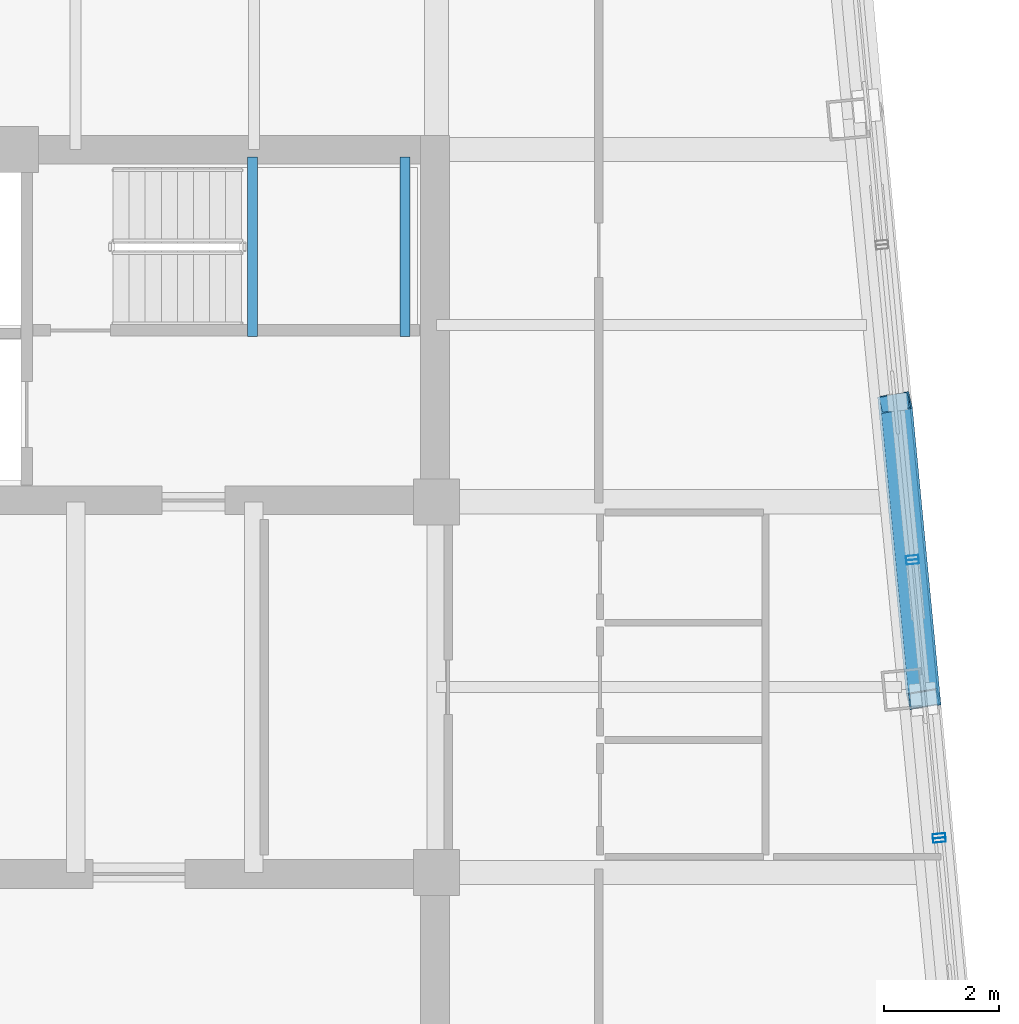
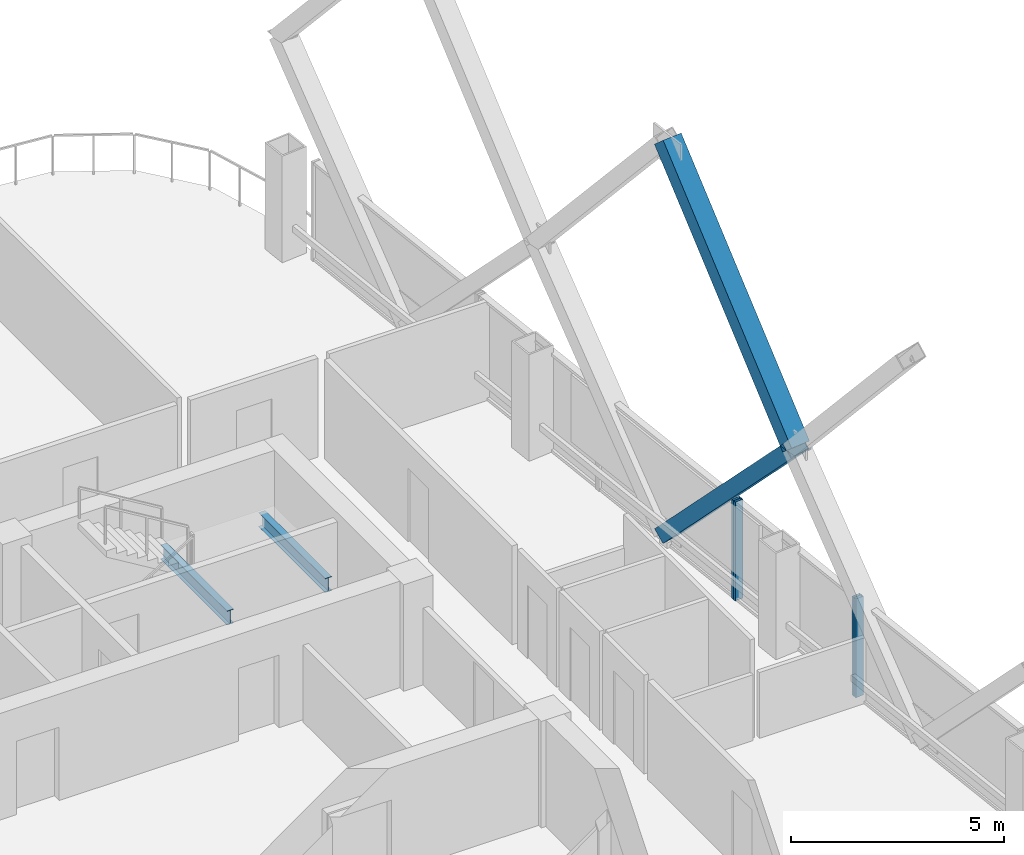
# One storey, part 15 of 34: 6 members, 2 beams, 3 elements without a shape of their own.
"""IFC4 building model written with IfcOpenShell, lengths in metres."""

import ifcopenshell
import ifcopenshell.guid

model = None  # the IFC model being written
_history = None  # IfcOwnerHistory: only IFC2X3 demands one
_inside = {}  # id of a spatial element -> (the spatial element, [elements in it])
_under = {}  # id of a project, library or spatial element -> (it, [spatial elements below it])
_declared = {}  # id of a project -> (the project, [libraries it declares])
_typed = {}  # id of a type object -> (the type object, [elements of that type])
_made_of = {}  # id of a material, layer set ... -> (it, [elements and type objects made of it])


def new_model(schema):
    """Start an empty IFC model of exactly this schema.

    Asked for "IFC4X3", IfcOpenShell would pick the latest addendum, in which some entities
    have other attributes; the version numbers below select the first issue.
    IFC2X3 requires an IfcOwnerHistory on every rooted entity: one is made here for all.
    """
    global model, _history
    if schema == "IFC4X3":
        model = ifcopenshell.file(schema_version=(4, 3, 0, 0))
    else:
        model = ifcopenshell.file(schema=schema)
    _inside.clear()
    _under.clear()
    _declared.clear()
    _typed.clear()
    _made_of.clear()
    _history = None
    if model.schema == "IFC2X3":
        org = make("IfcOrganization", Name="unknown")
        user = make(
            "IfcPersonAndOrganization",
            ThePerson=make("IfcPerson", FamilyName="unknown"),
            TheOrganization=org,
        )
        app = make(
            "IfcApplication",
            ApplicationDeveloper=org,
            Version="unknown",
            ApplicationFullName="unknown",
            ApplicationIdentifier="unknown",
        )
        _history = make(
            "IfcOwnerHistory",
            OwningUser=user,
            OwningApplication=app,
            ChangeAction="ADDED",
            CreationDate=0,
        )
    return model


def make(cls, **values):
    """One entity of the class cls with the attributes given. An attribute that is None is left unset."""
    return model.create_entity(
        cls, **{name: value for name, value in values.items() if value is not None}
    )


def rooted(cls, **values):
    """An entity with a GlobalId (a new one), such as an element, a storey or a relation."""
    return make(cls, GlobalId=ifcopenshell.guid.new(), OwnerHistory=_history, **values)


def si_unit(unit_type, name, prefix=None):
    """IfcSIUnit, for example si_unit("LENGTHUNIT", "METRE", prefix="MILLI")."""
    return make("IfcSIUnit", UnitType=unit_type, Prefix=prefix, Name=name)


def assignment(units):
    """IfcUnitAssignment: the units of a project."""
    return None if units is None else make("IfcUnitAssignment", Units=units)


def point(xyz):
    """IfcCartesianPoint."""
    return None if xyz is None else make("IfcCartesianPoint", Coordinates=xyz)


def direction(xyz):
    """IfcDirection."""
    return None if xyz is None else make("IfcDirection", DirectionRatios=xyz)


def frame(location, z_axis=None, x_axis=None):
    """IfcAxis2Placement3D, a coordinate frame: its origin and axes. An axis left out is left unset."""
    return make(
        "IfcAxis2Placement3D",
        Location=point(location),
        Axis=direction(z_axis),
        RefDirection=direction(x_axis),
    )


def frame_2d(location, x_axis=None):
    """IfcAxis2Placement2D, a coordinate frame in the plane: its origin and x axis."""
    return make(
        "IfcAxis2Placement2D", Location=point(location), RefDirection=direction(x_axis)
    )


def origin():
    """The frame at (0, 0, 0) with its axes left unset."""
    return frame((0.0, 0.0, 0.0))


def origin_2d():
    """The frame at (0, 0) in the plane with its x axis left unset."""
    return frame_2d((0.0, 0.0))


def place(relative_to, where):
    """IfcLocalPlacement: puts the frame where relative to a parent placement (None: the world)."""
    return make(
        "IfcLocalPlacement", PlacementRelTo=relative_to, RelativePlacement=where
    )


def context(
    kind, dimensions, precision=None, world=None, true_north=None, identifier=None
):
    """IfcGeometricRepresentationContext, for example the 3D "Model" context."""
    return make(
        "IfcGeometricRepresentationContext",
        ContextIdentifier=identifier,
        ContextType=kind,
        CoordinateSpaceDimension=dimensions,
        Precision=precision,
        WorldCoordinateSystem=world,
        TrueNorth=true_north,
    )


def subcontext(parent, identifier, kind, view, scale=None):
    """IfcGeometricRepresentationSubContext, for example "Body" below "Model"."""
    return make(
        "IfcGeometricRepresentationSubContext",
        ContextIdentifier=identifier,
        ContextType=kind,
        ParentContext=parent,
        TargetScale=scale,
        TargetView=view,
    )


def project(units=None, contexts=None):
    """IfcProject with its units and contexts."""
    return rooted(
        "IfcProject",
        Name="project",
        RepresentationContexts=contexts,
        UnitsInContext=assignment(units),
    )


def spatial(cls, under=None, at=None, **own):
    """A site, building, storey or space (cls), placed at a placement, below another one or the project."""
    s = rooted(cls, ObjectPlacement=at, **own)
    if under is not None:
        _under.setdefault(under.id(), (under, []))[1].append(s)
    return s


def profile(cls, at=None, kind="AREA", **sizes):
    """A parametric profile (cls). Its sizes go by their IFC names, for example OverallWidth=200.0."""
    return make(cls, ProfileType=kind, Position=at, **sizes)


def hollow_rectangle(**sizes):
    """IfcRectangleHollowProfileDef."""
    return profile("IfcRectangleHollowProfileDef", **sizes)


def i_section(**sizes):
    """IfcIShapeProfileDef."""
    return profile("IfcIShapeProfileDef", **sizes)


def extrude(swept, where, along, depth):
    """IfcExtrudedAreaSolid: the profile swept, set in the frame where, extruded along a direction by depth."""
    return make(
        "IfcExtrudedAreaSolid",
        SweptArea=swept,
        Position=where,
        ExtrudedDirection=direction(along),
        Depth=depth,
    )


def shape(context_of_items, identifier, shape_type, items):
    """IfcShapeRepresentation: the items that make up one representation, for example the "Body"."""
    return make(
        "IfcShapeRepresentation",
        ContextOfItems=context_of_items,
        RepresentationIdentifier=identifier,
        RepresentationType=shape_type,
        Items=items,
    )


def material(Name=None, Category=None):
    """IfcMaterial."""
    return make("IfcMaterial", Name=Name, Category=Category)


def layer(
    of_material, thickness, ventilated=None, Name=None, Category=None, Priority=None
):
    """IfcMaterialLayer: one layer of a wall or slab, of a material (None: an air gap)."""
    return make(
        "IfcMaterialLayer",
        Material=of_material,
        LayerThickness=thickness,
        IsVentilated=ventilated,
        Name=Name,
        Category=Category,
        Priority=Priority,
    )


def layer_set(layers, Name=None):
    """IfcMaterialLayerSet."""
    return make("IfcMaterialLayerSet", MaterialLayers=layers, LayerSetName=Name)


def material_profile(
    of_material, cross_section, Name=None, Category=None, Priority=None
):
    """IfcMaterialProfile: a cross section and its material."""
    return make(
        "IfcMaterialProfile",
        Name=Name,
        Material=of_material,
        Profile=cross_section,
        Priority=Priority,
        Category=Category,
    )


def profile_set(profiles, Name=None, composite=None):
    """IfcMaterialProfileSet."""
    return make(
        "IfcMaterialProfileSet",
        Name=Name,
        MaterialProfiles=profiles,
        CompositeProfile=composite,
    )


def made_of(thing, what):
    """Note that an element or type object is made of a material, layer set ...; save() writes the relation."""
    if what is not None:
        _made_of.setdefault(what.id(), (what, []))[1].append(thing)
    return thing


def type_object(cls, material=None, **own):
    """A type object (cls), such as IfcWallType, which elements share."""
    return made_of(rooted(cls, **own), material)


def element(
    cls,
    number,
    at=None,
    inside=None,
    cuts=None,
    type_object=None,
    material=None,
    context=None,
    identifier="Body",
    shape_type=None,
    held_by="IfcProductDefinitionShape",
    body=None,
    shapes=None,
    **own,
):
    """One element of the class cls, such as IfcWall. Its Tag is "e" and its number.

    at: its placement. inside: the storey or other place that contains it. cuts: it is an
    opening in that element (IfcRelVoidsElement). A single representation is given by context,
    identifier, shape_type and body (its items); several are given by shapes. held_by: the class
    of the entity that holds the representations. save() writes the other relations.
    """
    e = rooted(cls, Tag="e%d" % number, ObjectPlacement=at, **own)
    if body is not None:
        shapes = [shape(context, identifier, shape_type, body)]
    if shapes is not None:
        e.Representation = make(held_by, Representations=shapes)
    if inside is not None:
        _inside.setdefault(inside.id(), (inside, []))[1].append(e)
    if cuts is not None:
        rooted(
            "IfcRelVoidsElement", RelatingBuildingElement=cuts, RelatedOpeningElement=e
        )
    if type_object is not None:
        _typed.setdefault(type_object.id(), (type_object, []))[1].append(e)
    return made_of(e, material)


def aggregate(whole, parts):
    """IfcRelAggregates: a whole, such as a stair, and the parts it consists of."""
    return rooted("IfcRelAggregates", RelatingObject=whole, RelatedObjects=parts)


def save(model, path):
    """Write the relations noted so far, then the file.

    IfcRelAggregates (storeys below a building ...), IfcRelContainedInSpatialStructure (elements
    in a storey), IfcRelDefinesByType, IfcRelAssociatesMaterial and IfcRelDeclares: one each for
    every whole, place, type object, material and project.
    """
    for whole, parts in _under.values():
        aggregate(whole, parts)
    for where, things in _inside.values():
        rooted(
            "IfcRelContainedInSpatialStructure",
            RelatedElements=things,
            RelatingStructure=where,
        )
    for kind, things in _typed.values():
        rooted("IfcRelDefinesByType", RelatedObjects=things, RelatingType=kind)
    for what, things in _made_of.values():
        rooted("IfcRelAssociatesMaterial", RelatedObjects=things, RelatingMaterial=what)
    for by, libraries in _declared.values():
        rooted("IfcRelDeclares", RelatingContext=by, RelatedDefinitions=libraries)
    model.write(path)


model = new_model("IFC4")

# Units and contexts
model_context = context("Model", 3, precision=1e-05, world=origin(), true_north=direction((0.0, 1.0)))
body_context = subcontext(model_context, "Body", "Model", "MODEL_VIEW")
ifc_project = project(units=[si_unit("LENGTHUNIT", "METRE"), si_unit("AREAUNIT", "SQUARE_METRE"), si_unit("VOLUMEUNIT", "CUBIC_METRE"), si_unit("PLANEANGLEUNIT", "RADIAN"), si_unit("MASSUNIT", "GRAM", prefix="KILO")], contexts=[model_context])

# Site, building, storey
site_placement = place(None, origin())
site = spatial("IfcSite", under=ifc_project, at=site_placement, CompositionType="ELEMENT")
building_placement = place(site_placement, origin())
building = spatial("IfcBuilding", under=site, at=building_placement, Name="Qhalaya Broadcast Tower", CompositionType="ELEMENT")
storey_placement = place(building_placement, frame((0.0, 0.0, 168.35009765625)))
storey = spatial("IfcBuildingStorey", under=building, at=storey_placement, Name="L49", CompositionType="ELEMENT", Elevation=168.35009765625)

# Members
ifc_material_1 = material(Name="Structural Steel ASTM A572 Grade 50", Category="steel")
ifc_material_profile_1 = material_profile(ifc_material_1, hollow_rectangle(XDim=0.39990234375, YDim=0.550048828125, WallThickness=0.02490234375, at=origin_2d()), Name="BOX 400x550x25")
ifc_profile_set_1 = profile_set([ifc_material_profile_1], Name="Structural Steel ASTM A572 Grade 50")
member_type_1 = type_object("IfcMemberType", Name="Exoskeleton Diamond Diagonal Mid-High EX3", PredefinedType="BRACE", material=ifc_profile_set_1)
member_1_placement = place(storey_placement, frame((17.353515625, 5.5517578125, 0.35986328125), z_axis=(0.066470225701, -0.690617148349, 0.720159470883), x_axis=(-0.164082006329, 0.704364126815, 0.690614416339)))
element("IfcMember", 1, at=member_1_placement, inside=storey, type_object=member_type_1, Name="B4 Exoskeleton Diamond Brace E2-D1", PredefinedType="BRACE", context=body_context, shape_type="SweptSolid", body=[
    extrude(hollow_rectangle(XDim=0.39990234375, YDim=0.550048828125, WallThickness=0.02490234375, at=origin_2d()), origin(), (0.0, 0.0, 1.0), 7.470703125),
])
member_2_placement = place(storey_placement, frame((17.85009765625, 0.392333984375, 5.739990234375), z_axis=(-0.063474637002, 0.659493364683, 0.749025682067), x_axis=(0.166834797417, -0.732965274342, 0.659490755796)))
element("IfcMember", 2, at=member_2_placement, inside=storey, type_object=member_type_1, Name="B4 Exoskeleton Diamond Brace E2-D3", PredefinedType="BRACE", context=body_context, shape_type="SweptSolid", body=[
    extrude(hollow_rectangle(XDim=0.39990234375, YDim=0.550048828125, WallThickness=0.02490234375, at=origin_2d()), origin(), (0.0, 0.0, 1.0), 7.8232421875),
])

# Curtain wall, member
ifc_material_2 = material(Name="Fired Architectural Terracotta", Category="masonry")
ifc_layer_1 = layer(ifc_material_2, 0.219970703125, Name="Fired Architectural Terracotta")
ifc_layer_set_1 = layer_set([ifc_layer_1], Name="Fired Architectural Terracotta")
curtain_wall_type_1 = type_object("IfcCurtainWallType", Name="Block-Cap Unitised Terracotta Spandrel Wall CW-07", PredefinedType="NOTDEFINED", material=ifc_layer_set_1)
curtain_wall_1_placement = place(storey_placement, origin())
curtain_wall_1 = element("IfcCurtainWall", 3, at=curtain_wall_1_placement, inside=storey, type_object=curtain_wall_type_1, Name="L49 Unitised Curtain Wall L49-CW-E1", PredefinedType="NOTDEFINED")
ifc_material_3 = material(Name="Anodised Aluminium 6063-T6", Category="aluminium")
ifc_material_profile_2 = material_profile(ifc_material_3, hollow_rectangle(XDim=0.074951171875, YDim=0.219970703125, WallThickness=0.00390625, at=origin_2d()), Name="ALU-MUL 75x220x4")
ifc_profile_set_2 = profile_set([ifc_material_profile_2], Name="Anodised Aluminium 6063-T6")
member_type_2 = type_object("IfcMemberType", Name="Unitised Curtain-Wall Mullion M01", PredefinedType="MULLION", material=ifc_profile_set_2)
member_3_placement = place(storey_placement, frame((18.126708984375, -2.060546875, 0.0), z_axis=(0.0, 0.0, 1.0), x_axis=(-0.095842362816, 0.995396524753, 0.0)))
member_3 = element("IfcMember", 4, at=member_3_placement, type_object=member_type_2, Name="CW-07 mullion 2", PredefinedType="MULLION", context=body_context, shape_type="SweptSolid", body=[
    extrude(hollow_rectangle(XDim=0.074951171875, YDim=0.219970703125, WallThickness=0.00390625, at=origin_2d()), origin(), (0.0, 0.0, 1.0), 2.829833984375),
])
aggregate(curtain_wall_1, [member_3])

# Curtain wall, members
ifc_material_4 = material(Name="Solar-Control Low-E Triple Glazing", Category="glass")
ifc_layer_2 = layer(ifc_material_4, 0.219970703125, Name="Solar-Control Low-E Triple Glazing")
ifc_layer_set_2 = layer_set([ifc_layer_2], Name="Solar-Control Low-E Triple Glazing")
curtain_wall_type_2 = type_object("IfcCurtainWallType", Name="Even-Block 4-Storey Double-Module Curtain Wall CW-03", PredefinedType="NOTDEFINED", material=ifc_layer_set_2)
curtain_wall_2_placement = place(storey_placement, origin())
curtain_wall_2 = element("IfcCurtainWall", 5, at=curtain_wall_2_placement, inside=storey, type_object=curtain_wall_type_2, Name="L49 Unitised Curtain Wall L49-CW-E2", PredefinedType="NOTDEFINED")
member_4_placement = place(storey_placement, frame((18.119384765625, -1.986083984375, 0.0), z_axis=(0.0, 0.0, 1.0), x_axis=(-0.095844898762, 0.995396280574, 0.0)))
member_4 = element("IfcMember", 6, at=member_4_placement, type_object=member_type_2, Name="CW-03 mullion 1", PredefinedType="MULLION", context=body_context, shape_type="SweptSolid", body=[
    extrude(hollow_rectangle(XDim=0.074951171875, YDim=0.219970703125, WallThickness=0.00390625, at=origin_2d()), origin(), (0.0, 0.0, 1.0), 2.829833984375),
])
member_5_placement = place(storey_placement, frame((17.66064453125, 2.778076171875, 0.0), z_axis=(0.0, 0.0, 1.0), x_axis=(-0.095844898762, 0.995396280574, 0.0)))
member_5 = element("IfcMember", 7, at=member_5_placement, type_object=member_type_2, Name="CW-03 mullion 2", PredefinedType="MULLION", context=body_context, shape_type="SweptSolid", body=[
    extrude(hollow_rectangle(XDim=0.074951171875, YDim=0.219970703125, WallThickness=0.00390625, at=origin_2d()), origin(), (0.0, 0.0, 1.0), 2.829833984375),
])
aggregate(curtain_wall_2, [member_4, member_5])

# Curtain wall, member
curtain_wall_3_placement = place(storey_placement, origin())
curtain_wall_3 = element("IfcCurtainWall", 8, at=curtain_wall_3_placement, inside=storey, type_object=curtain_wall_type_1, Name="L49 Unitised Curtain Wall L49-CW-E3", PredefinedType="NOTDEFINED")
member_6_placement = place(storey_placement, frame((17.653564453125, 2.8525390625, 0.0), z_axis=(0.0, 0.0, 1.0), x_axis=(-0.095858099514, 0.99539500941, 0.0)))
member_6 = element("IfcMember", 9, at=member_6_placement, type_object=member_type_2, Name="CW-07 mullion 1", PredefinedType="MULLION", context=body_context, shape_type="SweptSolid", body=[
    extrude(hollow_rectangle(XDim=0.074951171875, YDim=0.219970703125, WallThickness=0.00390625, at=origin_2d()), origin(), (0.0, 0.0, 1.0), 2.829833984375),
])
aggregate(curtain_wall_3, [member_6])

# Beams
ifc_material_5 = material(Name="Structural Steel ASTM A992 Grade 50", Category="steel")
ifc_material_profile_3 = material_profile(ifc_material_5, i_section(OverallWidth=0.177978515625, OverallDepth=0.406005859375, WebThickness=0.0078125, FlangeThickness=0.0126953125, at=origin_2d()), Name="W16X40")
ifc_profile_set_3 = profile_set([ifc_material_profile_3], Name="Structural Steel ASTM A992 Grade 50")
beam_type = type_object("IfcBeamType", Name="Upper Perimeter Spandrel Beam SP2", PredefinedType="SPANDREL", material=ifc_profile_set_3)
for number, where, z_axis, x_axis, name in (
    (10, (6.175048828125, 6.699951171875, 1.121826171875), (0.0, 1.0, 0.0), (-1.0, 0.0, 0.0), "L49 ST-1 Half-Landing Bearer Beam 1"),
    (11, (8.830078125, 6.699951171875, 1.121826171875), (0.0, 1.0, 0.0), (-1.0, 0.0, 0.0), "L49 ST-1 Half-Landing Bearer Beam 2"),
):
    element("IfcBeam", number, at=place(storey_placement, frame(where, z_axis=z_axis, x_axis=x_axis)), inside=storey, type_object=beam_type, Name=name, PredefinedType="SPANDREL", context=body_context, shape_type="SweptSolid", body=[
        extrude(i_section(OverallWidth=0.177978515625, OverallDepth=0.406005859375, WebThickness=0.0078125, FlangeThickness=0.0126953125, at=origin_2d()), origin(), (0.0, 0.0, 1.0), 3.1201171875),
    ])

save(model, "model.ifc")
